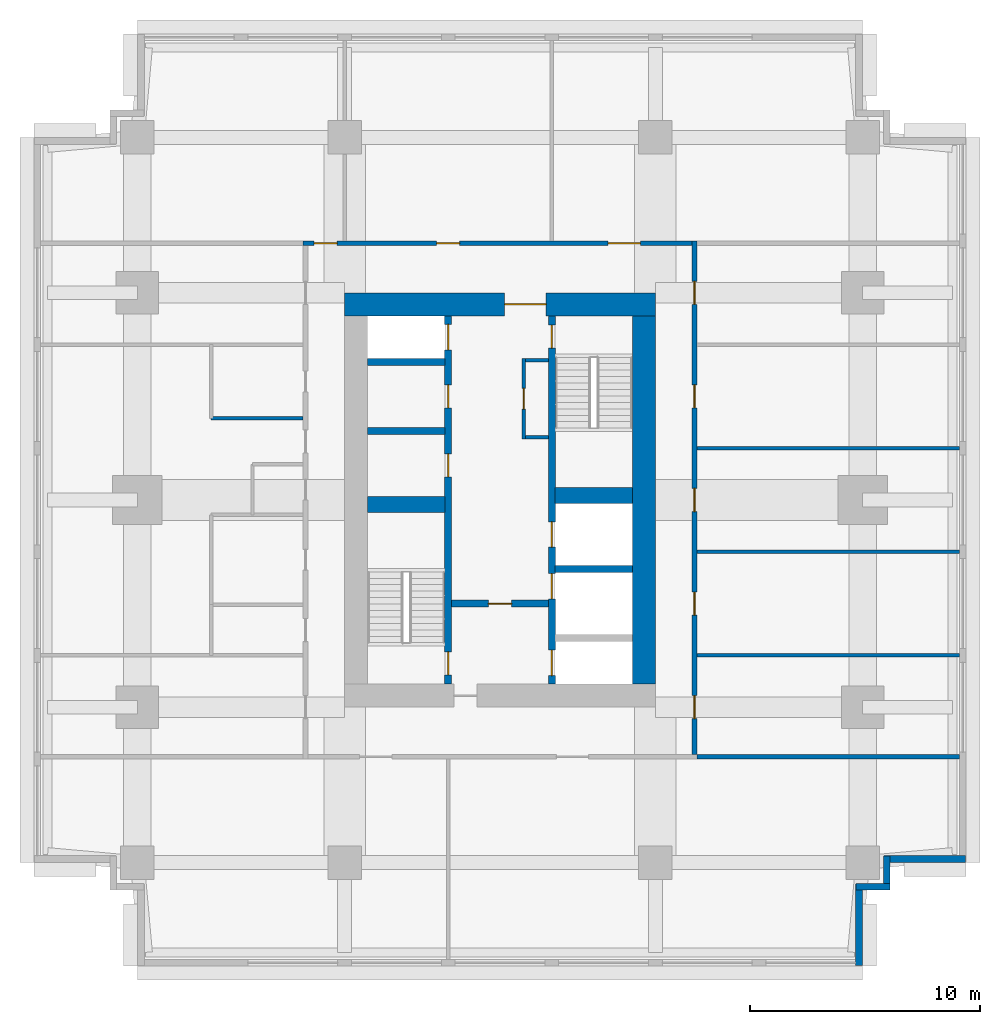
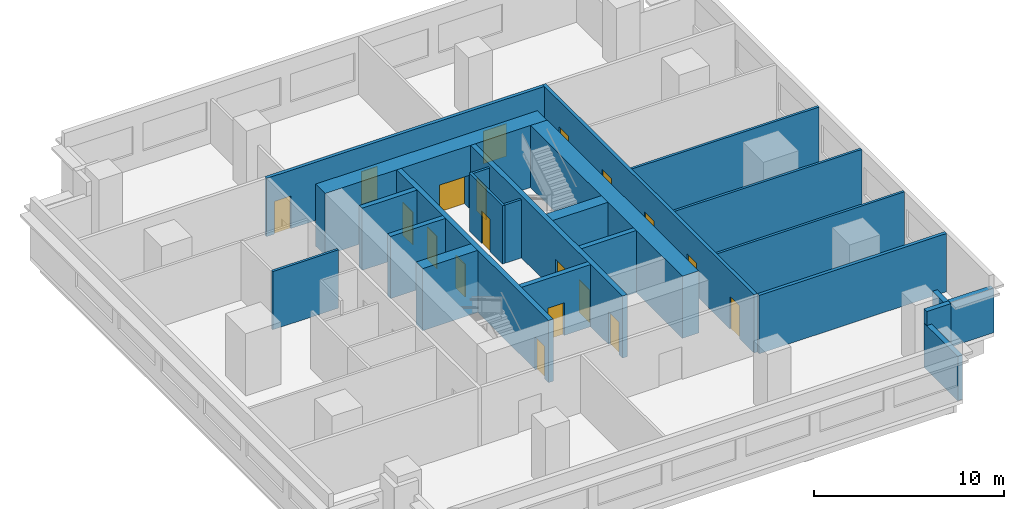
# One storey, part 3 of 5: 24 walls, 19 doors, 19 openings.
"""IFC4 building model written with IfcOpenShell, lengths in metres."""

from ifc_helpers import new_model, si_unit, direction, frame, frame_2d, origin, place, context, subcontext, project, spatial, rectangle, extrude, material, layer, layer_set, type_object, element, fill, save


model = new_model("IFC4")

# Units and contexts
model_context = context("Model", 3, precision=1e-05, world=origin(), true_north=direction((0.0, 1.0)))
body_context = subcontext(model_context, "Body", "Model", "MODEL_VIEW")
ifc_project = project(units=[si_unit("LENGTHUNIT", "METRE"), si_unit("AREAUNIT", "SQUARE_METRE"), si_unit("VOLUMEUNIT", "CUBIC_METRE"), si_unit("PLANEANGLEUNIT", "RADIAN"), si_unit("MASSUNIT", "GRAM", prefix="KILO")], contexts=[model_context])

# Site, building, storey
site_placement = place(None, origin())
site = spatial("IfcSite", under=ifc_project, at=site_placement, CompositionType="ELEMENT")
building_placement = place(site_placement, origin())
building = spatial("IfcBuilding", under=site, at=building_placement, Name="Namib Vertical Campus", CompositionType="ELEMENT")
storey_placement = place(building_placement, frame((0.0, 0.0, 261.0)))
storey = spatial("IfcBuildingStorey", under=building, at=storey_placement, Name="L61", CompositionType="ELEMENT", Elevation=261.0)

# Wall, openings, doors
ifc_material_1 = material(Name="Concrete C60/75", Category="concrete")
ifc_layer_1 = layer(ifc_material_1, 0.300048828125)
ifc_layer_set_1 = layer_set([ifc_layer_1], Name="Concrete C60/75")
wall_type_1 = type_object("IfcWallType", Name="Core inner wall 300", PredefinedType="SHEAR", material=ifc_layer_set_1)
wall_1_placement = place(storey_placement, frame((18.0, 12.25, 0.0), z_axis=(0.0, 0.0, 1.0), x_axis=(0.0, 1.0, 0.0)))
wall_1 = element("IfcWall", 1, at=wall_1_placement, inside=storey, type_object=wall_type_1, Name="Core inner wall A L61 W1", PredefinedType="SHEAR", context=body_context, shape_type="SweptSolid", body=[
    extrude(rectangle(XDim=16.0, YDim=0.300048828125, at=frame_2d((8.0, 0.0))), origin(), (0.0, 0.0, 1.0), 4.0),
])
opening_1_placement = place(wall_1_placement, frame((0.39990234375, 0.0, 0.0)))
opening_1 = element("IfcOpeningElement", 2, at=opening_1_placement, cuts=wall_1, Name="Opening FD1", PredefinedType="OPENING", context=body_context, shape_type="SweptSolid", body=[
    extrude(rectangle(XDim=1.0, YDim=2.10009765625, at=frame_2d((0.5, 1.050048828125))), frame((0.0, 0.159912109375, 0.0), z_axis=(0.0, -1.0, 0.0), x_axis=(1.0, 0.0, 0.0)), (0.0, 0.0, 1.0), 0.320068359375),
])
opening_2_placement = place(wall_1_placement, frame((14.52490234375, 0.0, 0.0)))
opening_2 = element("IfcOpeningElement", 3, at=opening_2_placement, cuts=wall_1, Name="Opening LD1", PredefinedType="OPENING", context=body_context, shape_type="SweptSolid", body=[
    extrude(rectangle(XDim=1.10009765625, YDim=2.10009765625, at=frame_2d((0.550048828125, 1.050048828125))), frame((0.0, 0.159912109375, 0.0), z_axis=(0.0, -1.0, 0.0), x_axis=(1.0, 0.0, 0.0)), (0.0, 0.0, 1.0), 0.320068359375),
])
opening_3_placement = place(wall_1_placement, frame((9.0, 0.0, 0.0)))
opening_3 = element("IfcOpeningElement", 4, at=opening_3_placement, cuts=wall_1, Name="Opening D1", PredefinedType="OPENING", context=body_context, shape_type="SweptSolid", body=[
    extrude(rectangle(XDim=1.0, YDim=2.10009765625, at=frame_2d((0.5, 1.050048828125))), frame((0.0, 0.159912109375, 0.0), z_axis=(0.0, -1.0, 0.0), x_axis=(1.0, 0.0, 0.0)), (0.0, 0.0, 1.0), 0.320068359375),
])
opening_4_placement = place(wall_1_placement, frame((12.0, 0.0, 0.0)))
opening_4 = element("IfcOpeningElement", 5, at=opening_4_placement, cuts=wall_1, Name="Opening D1", PredefinedType="OPENING", context=body_context, shape_type="SweptSolid", body=[
    extrude(rectangle(XDim=1.0, YDim=2.10009765625, at=frame_2d((0.5, 1.050048828125))), frame((0.0, 0.159912109375, 0.0), z_axis=(0.0, -1.0, 0.0), x_axis=(1.0, 0.0, 0.0)), (0.0, 0.0, 1.0), 0.320068359375),
])
ifc_material_2 = material(Name="Timber door leaf", Category="wood")
door_type_1 = type_object("IfcDoorType", Name="Door single 1000x2100", OperationType="SINGLE_SWING_LEFT", PredefinedType="DOOR", material=ifc_material_2)
door_1_placement = place(opening_3_placement, origin())
door_1 = element("IfcDoor", 6, at=door_1_placement, inside=storey, type_object=door_type_1, Name="Door D1 Store A L61 P1", OperationType="SINGLE_SWING_LEFT", OverallHeight=2.10009765625, OverallWidth=1.0, PredefinedType="DOOR", context=body_context, shape_type="SweptSolid", body=[
    extrude(rectangle(XDim=1.0, YDim=2.10009765625, at=frame_2d((0.5, 1.050048828125))), frame((0.0, 0.02490234375, 0.0), z_axis=(0.0, -1.0, 0.0), x_axis=(1.0, 0.0, 0.0)), (0.0, 0.0, 1.0), 0.050048828125),
])
fill(opening_3, door_1)
door_2_placement = place(opening_4_placement, origin())
door_2 = element("IfcDoor", 7, at=door_2_placement, inside=storey, type_object=door_type_1, Name="Door D1 Comms room A L61 P2", OperationType="SINGLE_SWING_LEFT", OverallHeight=2.10009765625, OverallWidth=1.0, PredefinedType="DOOR", context=body_context, shape_type="SweptSolid", body=[
    extrude(rectangle(XDim=1.0, YDim=2.10009765625, at=frame_2d((0.5, 1.050048828125))), frame((0.0, 0.02490234375, 0.0), z_axis=(0.0, -1.0, 0.0), x_axis=(1.0, 0.0, 0.0)), (0.0, 0.0, 1.0), 0.050048828125),
])
fill(opening_4, door_2)
ifc_material_3 = material(Name="Steel fire door", Category="steel")
door_type_2 = type_object("IfcDoorType", Name="Fire door 1000x2100", OperationType="SINGLE_SWING_RIGHT", PredefinedType="DOOR", material=ifc_material_3)
door_3_placement = place(opening_1_placement, origin())
door_3 = element("IfcDoor", 8, at=door_3_placement, inside=storey, type_object=door_type_2, Name="Stair door FD1 A L61 S1", OperationType="SINGLE_SWING_LEFT", OverallHeight=2.10009765625, OverallWidth=1.0, PredefinedType="DOOR", context=body_context, shape_type="SweptSolid", body=[
    extrude(rectangle(XDim=1.0, YDim=2.10009765625, at=frame_2d((0.5, 1.050048828125))), frame((0.0, 0.02490234375, 0.0), z_axis=(0.0, -1.0, 0.0), x_axis=(1.0, 0.0, 0.0)), (0.0, 0.0, 1.0), 0.050048828125),
])
fill(opening_1, door_3)
ifc_material_4 = material(Name="Stainless steel lift door", Category="steel")
door_type_3 = type_object("IfcDoorType", Name="Lift landing door 1100x2100", OperationType="DOUBLE_DOOR_SLIDING", PredefinedType="DOOR", material=ifc_material_4)
door_4_placement = place(opening_2_placement, origin())
door_4 = element("IfcDoor", 9, at=door_4_placement, inside=storey, type_object=door_type_3, Name="Lift landing door LD1 A-P3 L61", OperationType="DOUBLE_DOOR_SLIDING", OverallHeight=2.10009765625, OverallWidth=1.10009765625, PredefinedType="DOOR", context=body_context, shape_type="SweptSolid", body=[
    extrude(rectangle(XDim=1.10009765625, YDim=2.10009765625, at=frame_2d((0.550048828125, 1.050048828125))), frame((0.0, 0.02490234375, 0.0), z_axis=(0.0, -1.0, 0.0), x_axis=(1.0, 0.0, 0.0)), (0.0, 0.0, 1.0), 0.050048828125),
])
fill(opening_2, door_4)

wall_2_placement = place(storey_placement, frame((22.5, 12.25, 0.0), z_axis=(0.0, 0.0, 1.0), x_axis=(0.0, 1.0, 0.0)))
wall_2 = element("IfcWall", 10, at=wall_2_placement, inside=storey, type_object=wall_type_1, Name="Core inner wall A L61 W2", PredefinedType="SHEAR", context=body_context, shape_type="SweptSolid", body=[
    extrude(rectangle(XDim=16.0, YDim=0.300048828125, at=frame_2d((8.0, 0.0))), origin(), (0.0, 0.0, 1.0), 4.0),
])
opening_5_placement = place(wall_2_placement, frame((14.60009765625, 0.0, 0.0)))
opening_5 = element("IfcOpeningElement", 11, at=opening_5_placement, cuts=wall_2, Name="Opening FD1", PredefinedType="OPENING", context=body_context, shape_type="SweptSolid", body=[
    extrude(rectangle(XDim=1.0, YDim=2.10009765625, at=frame_2d((0.5, 1.050048828125))), frame((0.0, 0.159912109375, 0.0), z_axis=(0.0, -1.0, 0.0), x_axis=(1.0, 0.0, 0.0)), (0.0, 0.0, 1.0), 0.320068359375),
])
opening_6_placement = place(wall_2_placement, frame((0.375, 0.0, 0.0)))
opening_6 = element("IfcOpeningElement", 12, at=opening_6_placement, cuts=wall_2, Name="Opening LD1", PredefinedType="OPENING", context=body_context, shape_type="SweptSolid", body=[
    extrude(rectangle(XDim=1.10009765625, YDim=2.10009765625, at=frame_2d((0.550048828125, 1.050048828125))), frame((0.0, 0.159912109375, 0.0), z_axis=(0.0, -1.0, 0.0), x_axis=(1.0, 0.0, 0.0)), (0.0, 0.0, 1.0), 0.320068359375),
])
opening_7_placement = place(wall_2_placement, frame((3.699951171875, 0.0, 0.0)))
opening_7 = element("IfcOpeningElement", 13, at=opening_7_placement, cuts=wall_2, Name="Opening LD1", PredefinedType="OPENING", context=body_context, shape_type="SweptSolid", body=[
    extrude(rectangle(XDim=1.10009765625, YDim=2.10009765625, at=frame_2d((0.550048828125, 1.050048828125))), frame((0.0, 0.159912109375, 0.0), z_axis=(0.0, -1.0, 0.0), x_axis=(1.0, 0.0, 0.0)), (0.0, 0.0, 1.0), 0.320068359375),
])
opening_8_placement = place(wall_2_placement, frame((5.949951171875, 0.0, 0.0)))
opening_8 = element("IfcOpeningElement", 14, at=opening_8_placement, cuts=wall_2, Name="Opening LD1", PredefinedType="OPENING", context=body_context, shape_type="SweptSolid", body=[
    extrude(rectangle(XDim=1.10009765625, YDim=2.10009765625, at=frame_2d((0.550048828125, 1.050048828125))), frame((0.0, 0.159912109375, 0.0), z_axis=(0.0, -1.0, 0.0), x_axis=(1.0, 0.0, 0.0)), (0.0, 0.0, 1.0), 0.320068359375),
])
door_5_placement = place(opening_5_placement, frame((1.0, 0.0, 0.0), z_axis=(0.0, 0.0, 1.0), x_axis=(-1.0, 0.0, 0.0)))
door_5 = element("IfcDoor", 15, at=door_5_placement, inside=storey, type_object=door_type_2, Name="Stair door FD1 A L61 S2", OperationType="SINGLE_SWING_LEFT", OverallHeight=2.10009765625, OverallWidth=1.0, PredefinedType="DOOR", context=body_context, shape_type="SweptSolid", body=[
    extrude(rectangle(XDim=1.0, YDim=2.10009765625, at=frame_2d((0.5, 1.050048828125))), frame((0.0, 0.02490234375, 0.0), z_axis=(0.0, -1.0, 0.0), x_axis=(1.0, 0.0, 0.0)), (0.0, 0.0, 1.0), 0.050048828125),
])
fill(opening_5, door_5)
door_6_placement = place(opening_6_placement, origin())
door_6 = element("IfcDoor", 16, at=door_6_placement, inside=storey, type_object=door_type_3, Name="Lift landing door LD1 A-FL1 L61", OperationType="DOUBLE_DOOR_SLIDING", OverallHeight=2.10009765625, OverallWidth=1.10009765625, PredefinedType="DOOR", context=body_context, shape_type="SweptSolid", body=[
    extrude(rectangle(XDim=1.10009765625, YDim=2.10009765625, at=frame_2d((0.550048828125, 1.050048828125))), frame((0.0, 0.02490234375, 0.0), z_axis=(0.0, -1.0, 0.0), x_axis=(1.0, 0.0, 0.0)), (0.0, 0.0, 1.0), 0.050048828125),
])
fill(opening_6, door_6)
door_7_placement = place(opening_7_placement, origin())
door_7 = element("IfcDoor", 17, at=door_7_placement, inside=storey, type_object=door_type_3, Name="Lift landing door LD1 A-P4 L61", OperationType="DOUBLE_DOOR_SLIDING", OverallHeight=2.10009765625, OverallWidth=1.10009765625, PredefinedType="DOOR", context=body_context, shape_type="SweptSolid", body=[
    extrude(rectangle(XDim=1.10009765625, YDim=2.10009765625, at=frame_2d((0.550048828125, 1.050048828125))), frame((0.0, 0.02490234375, 0.0), z_axis=(0.0, -1.0, 0.0), x_axis=(1.0, 0.0, 0.0)), (0.0, 0.0, 1.0), 0.050048828125),
])
fill(opening_7, door_7)
door_8_placement = place(opening_8_placement, origin())
door_8 = element("IfcDoor", 18, at=door_8_placement, inside=storey, type_object=door_type_3, Name="Lift landing door LD1 A-P5 L61", OperationType="DOUBLE_DOOR_SLIDING", OverallHeight=2.10009765625, OverallWidth=1.10009765625, PredefinedType="DOOR", context=body_context, shape_type="SweptSolid", body=[
    extrude(rectangle(XDim=1.10009765625, YDim=2.10009765625, at=frame_2d((0.550048828125, 1.050048828125))), frame((0.0, 0.02490234375, 0.0), z_axis=(0.0, -1.0, 0.0), x_axis=(1.0, 0.0, 0.0)), (0.0, 0.0, 1.0), 0.050048828125),
])
fill(opening_8, door_8)

# Wall, opening, door
wall_3_placement = place(storey_placement, frame((18.14990234375, 15.75, 0.0), z_axis=(0.0, 0.0, 1.0), x_axis=(1.0, 0.0, 0.0)))
wall_3 = element("IfcWall", 19, at=wall_3_placement, inside=storey, type_object=wall_type_1, Name="Core inner wall A L61 W4", PredefinedType="SHEAR", context=body_context, shape_type="SweptSolid", body=[
    extrude(rectangle(XDim=4.2001953125, YDim=0.300048828125, at=frame_2d((2.10009765625, 0.0))), origin(), (0.0, 0.0, 1.0), 4.0),
])
opening_9_placement = place(wall_3_placement, frame((1.60009765625, 0.0, 0.0)))
opening_9 = element("IfcOpeningElement", 20, at=opening_9_placement, cuts=wall_3, Name="Opening FD5", PredefinedType="OPENING", context=body_context, shape_type="SweptSolid", body=[
    extrude(rectangle(XDim=1.0, YDim=2.10009765625, at=frame_2d((0.5, 1.050048828125))), frame((0.0, 0.159912109375, 0.0), z_axis=(0.0, -1.0, 0.0), x_axis=(1.0, 0.0, 0.0)), (0.0, 0.0, 1.0), 0.320068359375),
])
ifc_material_5 = material(Name="Steel fire door", Category="steel")
door_type_4 = type_object("IfcDoorType", Name="Fire door 1000x2100 120 min", OperationType="SINGLE_SWING_RIGHT", PredefinedType="DOOR", material=ifc_material_5)
door_9_placement = place(opening_9_placement, frame((1.0, 0.0, 0.0), z_axis=(0.0, 0.0, 1.0), x_axis=(-1.0, 0.0, 0.0)))
door_9 = element("IfcDoor", 21, at=door_9_placement, inside=storey, type_object=door_type_4, Name="Lobby door FD5 A L61", OperationType="SINGLE_SWING_RIGHT", OverallHeight=2.10009765625, OverallWidth=1.0, PredefinedType="DOOR", context=body_context, shape_type="SweptSolid", body=[
    extrude(rectangle(XDim=1.0, YDim=2.10009765625, at=frame_2d((0.5, 1.050048828125))), frame((0.0, 0.02490234375, 0.0), z_axis=(0.0, -1.0, 0.0), x_axis=(1.0, 0.0, 0.0)), (0.0, 0.0, 1.0), 0.050048828125),
])
fill(opening_9, door_9)

# Walls
for number, where, z_axis, x_axis, name in (
    (22, (22.64990234375, 17.25, 0.0), (0.0, 0.0, 1.0), (1.0, 0.0, 0.0), "Core inner wall A L61 W6"),
    (23, (14.5, 23.25, 0.0), (0.0, 0.0, 1.0), (1.0, 0.0, 0.0), "Core inner wall A L61 W8"),
    (24, (14.5, 26.25, 0.0), (0.0, 0.0, 1.0), (1.0, 0.0, 0.0), "Core inner wall A L61 W9"),
):
    element("IfcWall", number, at=place(storey_placement, frame(where, z_axis=z_axis, x_axis=x_axis)), inside=storey, type_object=wall_type_1, Name=name, PredefinedType="SHEAR", context=body_context, shape_type="SweptSolid", body=[
        extrude(rectangle(XDim=3.35009765625, YDim=0.300048828125, at=frame_2d((1.675048828125, 0.0))), origin(), (0.0, 0.0, 1.0), 4.0),
    ])
ifc_material_6 = material(Name="Concrete C60/75", Category="concrete")
ifc_layer_2 = layer(ifc_material_6, 0.699951171875)
ifc_layer_set_2 = layer_set([ifc_layer_2], Name="Concrete C60/75")
wall_type_2 = type_object("IfcWallType", Name="Core shear wall 700", PredefinedType="SHEAR", material=ifc_layer_set_2)
for number, where, z_axis, x_axis, name in (
    (25, (14.5, 20.050048828125, 0.0), (0.0, 0.0, 1.0), (1.0, 0.0, 0.0), "Core shear wall A L61 W3"),
    (26, (22.64990234375, 20.449951171875, 0.0), (0.0, 0.0, 1.0), (1.0, 0.0, 0.0), "Core shear wall A L61 W7"),
):
    element("IfcWall", number, at=place(storey_placement, frame(where, z_axis=z_axis, x_axis=x_axis)), inside=storey, type_object=wall_type_2, Name=name, PredefinedType="SHEAR", context=body_context, shape_type="SweptSolid", body=[
        extrude(rectangle(XDim=3.35009765625, YDim=0.699951171875, at=frame_2d((1.675048828125, 0.0))), origin(), (0.0, 0.0, 1.0), 4.0),
    ])
ifc_material_7 = material(Name="Concrete C60/75", Category="concrete")
ifc_layer_3 = layer(ifc_material_7, 1.0)
ifc_layer_set_3 = layer_set([ifc_layer_3], Name="Concrete C60/75")
wall_type_3 = type_object("IfcWallType", Name="Core wall 1000", PredefinedType="SHEAR", material=ifc_layer_set_3)
wall_4_placement = place(storey_placement, frame((26.5, 12.25, 0.0), z_axis=(0.0, 0.0, 1.0), x_axis=(0.0, 1.0, 0.0)))
element("IfcWall", 27, at=wall_4_placement, inside=storey, type_object=wall_type_3, Name="Core wall A L61 2", PredefinedType="SHEAR", context=body_context, shape_type="SweptSolid", body=[
    extrude(rectangle(XDim=16.0, YDim=1.0, at=frame_2d((8.0, 0.0))), origin(), (0.0, 0.0, 1.0), 4.0),
])

# Wall, opening, door
wall_5_placement = place(storey_placement, frame((27.0, 28.75, 0.0), z_axis=(0.0, 0.0, 1.0), x_axis=(-1.0, 0.0, 0.0)))
wall_5 = element("IfcWall", 28, at=wall_5_placement, inside=storey, type_object=wall_type_3, Name="Core wall A L61 3", PredefinedType="SHEAR", context=body_context, shape_type="SweptSolid", body=[
    extrude(rectangle(XDim=13.5, YDim=1.0, at=frame_2d((6.75, 0.0))), origin(), (0.0, 0.0, 1.0), 4.0),
])
opening_10_placement = place(wall_5_placement, frame((4.75, 0.0, 0.0)))
opening_10 = element("IfcOpeningElement", 29, at=opening_10_placement, cuts=wall_5, Name="Opening FD2", PredefinedType="OPENING", context=body_context, shape_type="SweptSolid", body=[
    extrude(rectangle(XDim=1.800048828125, YDim=2.10009765625, at=frame_2d((0.89990234375, 1.050048828125))), frame((0.0, 0.510009765625, 0.0), z_axis=(0.0, -1.0, 0.0), x_axis=(1.0, 0.0, 0.0)), (0.0, 0.0, 1.0), 1.02001953125),
])
ifc_material_8 = material(Name="Steel fire door", Category="steel")
door_type_5 = type_object("IfcDoorType", Name="Fire door double 1800x2100", OperationType="DOUBLE_DOOR_SINGLE_SWING", PredefinedType="DOOR", material=ifc_material_8)
door_10_placement = place(opening_10_placement, origin())
door_10 = element("IfcDoor", 30, at=door_10_placement, inside=storey, type_object=door_type_5, Name="Lift lobby door FD2 A L61", OperationType="DOUBLE_DOOR_SINGLE_SWING", OverallHeight=2.10009765625, OverallWidth=1.800048828125, PredefinedType="DOOR", context=body_context, shape_type="SweptSolid", body=[
    extrude(rectangle(XDim=1.800048828125, YDim=2.10009765625, at=frame_2d((0.89990234375, 1.050048828125))), frame((0.0, 0.02490234375, 0.0), z_axis=(0.0, -1.0, 0.0), x_axis=(1.0, 0.0, 0.0)), (0.0, 0.0, 1.0), 0.050048828125),
])
fill(opening_10, door_10)

# Wall, openings, doors
ifc_material_9 = material(Name="Concrete masonry", Category="masonry")
ifc_layer_4 = layer(ifc_material_9, 0.199951171875)
ifc_layer_set_4 = layer_set([ifc_layer_4], Name="Corridor wall 200")
wall_type_4 = type_object("IfcWallType", Name="Corridor wall 200", PredefinedType="SOLIDWALL", material=ifc_layer_set_4)
wall_6_placement = place(storey_placement, frame((28.699951171875, 9.199951171875, 0.0), z_axis=(0.0, 0.0, 1.0), x_axis=(0.0, 1.0, 0.0)))
wall_6 = element("IfcWall", 31, at=wall_6_placement, inside=storey, type_object=wall_type_4, Name="Corridor wall A L61 CE", PredefinedType="SOLIDWALL", context=body_context, shape_type="SweptSolid", body=[
    extrude(rectangle(XDim=22.300048828125, YDim=0.199951171875, at=frame_2d((11.14990234375, 0.0))), origin(), (0.0, 0.0, 1.0), 3.75),
])
opening_11_placement = place(wall_6_placement, frame((1.550048828125, 0.0, 0.0)))
opening_11 = element("IfcOpeningElement", 32, at=opening_11_placement, cuts=wall_6, Name="Opening CD1", PredefinedType="OPENING", context=body_context, shape_type="SweptSolid", body=[
    extrude(rectangle(XDim=1.0, YDim=2.10009765625, at=frame_2d((0.5, 1.050048828125))), frame((0.0, 0.10986328125, 0.0), z_axis=(0.0, -1.0, 0.0), x_axis=(1.0, 0.0, 0.0)), (0.0, 0.0, 1.0), 0.219970703125),
])
opening_12_placement = place(wall_6_placement, frame((6.050048828125, 0.0, 0.0)))
opening_12 = element("IfcOpeningElement", 33, at=opening_12_placement, cuts=wall_6, Name="Opening CD1", PredefinedType="OPENING", context=body_context, shape_type="SweptSolid", body=[
    extrude(rectangle(XDim=1.0, YDim=2.10009765625, at=frame_2d((0.5, 1.050048828125))), frame((0.0, 0.10986328125, 0.0), z_axis=(0.0, -1.0, 0.0), x_axis=(1.0, 0.0, 0.0)), (0.0, 0.0, 1.0), 0.219970703125),
])
opening_13_placement = place(wall_6_placement, frame((10.550048828125, 0.0, 0.0)))
opening_13 = element("IfcOpeningElement", 34, at=opening_13_placement, cuts=wall_6, Name="Opening CD1", PredefinedType="OPENING", context=body_context, shape_type="SweptSolid", body=[
    extrude(rectangle(XDim=1.0, YDim=2.10009765625, at=frame_2d((0.5, 1.050048828125))), frame((0.0, 0.10986328125, 0.0), z_axis=(0.0, -1.0, 0.0), x_axis=(1.0, 0.0, 0.0)), (0.0, 0.0, 1.0), 0.219970703125),
])
opening_14_placement = place(wall_6_placement, frame((15.050048828125, 0.0, 0.0)))
opening_14 = element("IfcOpeningElement", 35, at=opening_14_placement, cuts=wall_6, Name="Opening CD1", PredefinedType="OPENING", context=body_context, shape_type="SweptSolid", body=[
    extrude(rectangle(XDim=1.0, YDim=2.10009765625, at=frame_2d((0.5, 1.050048828125))), frame((0.0, 0.10986328125, 0.0), z_axis=(0.0, -1.0, 0.0), x_axis=(1.0, 0.0, 0.0)), (0.0, 0.0, 1.0), 0.219970703125),
])
opening_15_placement = place(wall_6_placement, frame((19.550048828125, 0.0, 0.0)))
opening_15 = element("IfcOpeningElement", 36, at=opening_15_placement, cuts=wall_6, Name="Opening CD1", PredefinedType="OPENING", context=body_context, shape_type="SweptSolid", body=[
    extrude(rectangle(XDim=1.0, YDim=2.10009765625, at=frame_2d((0.5, 1.050048828125))), frame((0.0, 0.10986328125, 0.0), z_axis=(0.0, -1.0, 0.0), x_axis=(1.0, 0.0, 0.0)), (0.0, 0.0, 1.0), 0.219970703125),
])
ifc_material_10 = material(Name="Timber fire door leaf", Category="wood")
door_type_6 = type_object("IfcDoorType", Name="Corridor door 1000x2100 20 min", OperationType="SINGLE_SWING_LEFT", PredefinedType="DOOR", material=ifc_material_10)
door_11_placement = place(opening_11_placement, frame((1.0, 0.0, 0.0), z_axis=(0.0, 0.0, 1.0), x_axis=(-1.0, 0.0, 0.0)))
door_11 = element("IfcDoor", 37, at=door_11_placement, inside=storey, type_object=door_type_6, Name="Door CD1 A61-03", OperationType="SINGLE_SWING_RIGHT", OverallHeight=2.10009765625, OverallWidth=1.0, PredefinedType="DOOR", context=body_context, shape_type="SweptSolid", body=[
    extrude(rectangle(XDim=1.0, YDim=2.10009765625, at=frame_2d((0.5, 1.050048828125))), frame((0.0, 0.02490234375, 0.0), z_axis=(0.0, -1.0, 0.0), x_axis=(1.0, 0.0, 0.0)), (0.0, 0.0, 1.0), 0.050048828125),
])
fill(opening_11, door_11)
door_12_placement = place(opening_12_placement, frame((1.0, 0.0, 0.0), z_axis=(0.0, 0.0, 1.0), x_axis=(-1.0, 0.0, 0.0)))
door_12 = element("IfcDoor", 38, at=door_12_placement, inside=storey, type_object=door_type_6, Name="Door CD1 A61-04", OperationType="SINGLE_SWING_RIGHT", OverallHeight=2.10009765625, OverallWidth=1.0, PredefinedType="DOOR", context=body_context, shape_type="SweptSolid", body=[
    extrude(rectangle(XDim=1.0, YDim=2.10009765625, at=frame_2d((0.5, 1.050048828125))), frame((0.0, 0.02490234375, 0.0), z_axis=(0.0, -1.0, 0.0), x_axis=(1.0, 0.0, 0.0)), (0.0, 0.0, 1.0), 0.050048828125),
])
fill(opening_12, door_12)
door_13_placement = place(opening_13_placement, frame((1.0, 0.0, 0.0), z_axis=(0.0, 0.0, 1.0), x_axis=(-1.0, 0.0, 0.0)))
door_13 = element("IfcDoor", 39, at=door_13_placement, inside=storey, type_object=door_type_6, Name="Door CD1 A61-05", OperationType="SINGLE_SWING_RIGHT", OverallHeight=2.10009765625, OverallWidth=1.0, PredefinedType="DOOR", context=body_context, shape_type="SweptSolid", body=[
    extrude(rectangle(XDim=1.0, YDim=2.10009765625, at=frame_2d((0.5, 1.050048828125))), frame((0.0, 0.02490234375, 0.0), z_axis=(0.0, -1.0, 0.0), x_axis=(1.0, 0.0, 0.0)), (0.0, 0.0, 1.0), 0.050048828125),
])
fill(opening_13, door_13)
door_14_placement = place(opening_14_placement, frame((1.0, 0.0, 0.0), z_axis=(0.0, 0.0, 1.0), x_axis=(-1.0, 0.0, 0.0)))
door_14 = element("IfcDoor", 40, at=door_14_placement, inside=storey, type_object=door_type_6, Name="Door CD1 A61-06", OperationType="SINGLE_SWING_RIGHT", OverallHeight=2.10009765625, OverallWidth=1.0, PredefinedType="DOOR", context=body_context, shape_type="SweptSolid", body=[
    extrude(rectangle(XDim=1.0, YDim=2.10009765625, at=frame_2d((0.5, 1.050048828125))), frame((0.0, 0.02490234375, 0.0), z_axis=(0.0, -1.0, 0.0), x_axis=(1.0, 0.0, 0.0)), (0.0, 0.0, 1.0), 0.050048828125),
])
fill(opening_14, door_14)
door_15_placement = place(opening_15_placement, frame((1.0, 0.0, 0.0), z_axis=(0.0, 0.0, 1.0), x_axis=(-1.0, 0.0, 0.0)))
door_15 = element("IfcDoor", 41, at=door_15_placement, inside=storey, type_object=door_type_6, Name="Door CD1 A61-07", OperationType="SINGLE_SWING_RIGHT", OverallHeight=2.10009765625, OverallWidth=1.0, PredefinedType="DOOR", context=body_context, shape_type="SweptSolid", body=[
    extrude(rectangle(XDim=1.0, YDim=2.10009765625, at=frame_2d((0.5, 1.050048828125))), frame((0.0, 0.02490234375, 0.0), z_axis=(0.0, -1.0, 0.0), x_axis=(1.0, 0.0, 0.0)), (0.0, 0.0, 1.0), 0.050048828125),
])
fill(opening_15, door_15)

wall_7_placement = place(storey_placement, frame((28.60009765625, 31.39990234375, 0.0), z_axis=(0.0, 0.0, 1.0), x_axis=(-1.0, 0.0, 0.0)))
wall_7 = element("IfcWall", 42, at=wall_7_placement, inside=storey, type_object=wall_type_4, Name="Corridor wall A L61 CN", PredefinedType="SOLIDWALL", context=body_context, shape_type="SweptSolid", body=[
    extrude(rectangle(XDim=16.900146484375, YDim=0.199951171875, at=frame_2d((8.4501953125, 0.0))), origin(), (0.0, 0.0, 1.0), 3.75),
])
opening_16_placement = place(wall_7_placement, frame((15.425048828125, 0.0, 0.0)))
opening_16 = element("IfcOpeningElement", 43, at=opening_16_placement, cuts=wall_7, Name="Opening CD1", PredefinedType="OPENING", context=body_context, shape_type="SweptSolid", body=[
    extrude(rectangle(XDim=1.0, YDim=2.10009765625, at=frame_2d((0.5, 1.050048828125))), frame((0.0, 0.10986328125, 0.0), z_axis=(0.0, -1.0, 0.0), x_axis=(1.0, 0.0, 0.0)), (0.0, 0.0, 1.0), 0.219970703125),
])
opening_17_placement = place(wall_7_placement, frame((10.10009765625, 0.0, 0.0)))
opening_17 = element("IfcOpeningElement", 44, at=opening_17_placement, cuts=wall_7, Name="Opening CD1", PredefinedType="OPENING", context=body_context, shape_type="SweptSolid", body=[
    extrude(rectangle(XDim=1.0, YDim=2.10009765625, at=frame_2d((0.5, 1.050048828125))), frame((0.0, 0.10986328125, 0.0), z_axis=(0.0, -1.0, 0.0), x_axis=(1.0, 0.0, 0.0)), (0.0, 0.0, 1.0), 0.219970703125),
])
opening_18_placement = place(wall_7_placement, frame((2.25, 0.0, 0.0)))
opening_18 = element("IfcOpeningElement", 45, at=opening_18_placement, cuts=wall_7, Name="Opening LB1", PredefinedType="OPENING", context=body_context, shape_type="SweptSolid", body=[
    extrude(rectangle(XDim=1.39990234375, YDim=2.10009765625, at=frame_2d((0.699951171875, 1.050048828125))), frame((0.0, 0.10986328125, 0.0), z_axis=(0.0, -1.0, 0.0), x_axis=(1.0, 0.0, 0.0)), (0.0, 0.0, 1.0), 0.219970703125),
])
door_16_placement = place(opening_16_placement, frame((1.0, 0.0, 0.0), z_axis=(0.0, 0.0, 1.0), x_axis=(-1.0, 0.0, 0.0)))
door_16 = element("IfcDoor", 46, at=door_16_placement, inside=storey, type_object=door_type_6, Name="Door CD1 A61-08", OperationType="SINGLE_SWING_RIGHT", OverallHeight=2.10009765625, OverallWidth=1.0, PredefinedType="DOOR", context=body_context, shape_type="SweptSolid", body=[
    extrude(rectangle(XDim=1.0, YDim=2.10009765625, at=frame_2d((0.5, 1.050048828125))), frame((0.0, 0.02490234375, 0.0), z_axis=(0.0, -1.0, 0.0), x_axis=(1.0, 0.0, 0.0)), (0.0, 0.0, 1.0), 0.050048828125),
])
fill(opening_16, door_16)
door_17_placement = place(opening_17_placement, frame((1.0, 0.0, 0.0), z_axis=(0.0, 0.0, 1.0), x_axis=(-1.0, 0.0, 0.0)))
door_17 = element("IfcDoor", 47, at=door_17_placement, inside=storey, type_object=door_type_6, Name="Door CD1 A61-09", OperationType="SINGLE_SWING_RIGHT", OverallHeight=2.10009765625, OverallWidth=1.0, PredefinedType="DOOR", context=body_context, shape_type="SweptSolid", body=[
    extrude(rectangle(XDim=1.0, YDim=2.10009765625, at=frame_2d((0.5, 1.050048828125))), frame((0.0, 0.02490234375, 0.0), z_axis=(0.0, -1.0, 0.0), x_axis=(1.0, 0.0, 0.0)), (0.0, 0.0, 1.0), 0.050048828125),
])
fill(opening_17, door_17)
ifc_material_11 = material(Name="Timber fire door leaf", Category="wood")
door_type_7 = type_object("IfcDoorType", Name="Laboratory door 1400x2100 leaf and a half", OperationType="DOUBLE_DOOR_SINGLE_SWING", PredefinedType="DOOR", material=ifc_material_11)
door_18_placement = place(opening_18_placement, frame((1.39990234375, 0.0, 0.0), z_axis=(0.0, 0.0, 1.0), x_axis=(-1.0, 0.0, 0.0)))
door_18 = element("IfcDoor", 48, at=door_18_placement, inside=storey, type_object=door_type_7, Name="Door LB1 A61-10", OperationType="DOUBLE_DOOR_SINGLE_SWING", OverallHeight=2.10009765625, OverallWidth=1.39990234375, PredefinedType="DOOR", context=body_context, shape_type="SweptSolid", body=[
    extrude(rectangle(XDim=1.39990234375, YDim=2.10009765625, at=frame_2d((0.699951171875, 1.050048828125))), frame((0.0, 0.02490234375, 0.0), z_axis=(0.0, -1.0, 0.0), x_axis=(1.0, 0.0, 0.0)), (0.0, 0.0, 1.0), 0.050048828125),
])
fill(opening_18, door_18)

# Walls
wall_8_placement = place(storey_placement, frame((28.800048828125, 9.10009765625, 0.0), z_axis=(0.0, 0.0, 1.0), x_axis=(1.0, 0.0, 0.0)))
element("IfcWall", 49, at=wall_8_placement, inside=storey, type_object=wall_type_4, Name="Partition A L61 BSE", PredefinedType="SOLIDWALL", context=body_context, shape_type="SweptSolid", body=[
    extrude(rectangle(XDim=11.39990234375, YDim=0.199951171875, at=frame_2d((5.699951171875, 0.0))), origin(), (0.0, 0.0, 1.0), 3.75),
])
ifc_material_12 = material(Name="Concrete C40/50", Category="concrete")
ifc_layer_5 = layer(ifc_material_12, 0.300048828125)
ifc_layer_set_5 = layer_set([ifc_layer_5], Name="Concrete C40/50")
wall_type_5 = type_object("IfcWallType", Name="External wall 300 board-marked concrete", PredefinedType="STANDARD", material=ifc_layer_set_5)
wall_9_placement = place(storey_placement, frame((35.85009765625, 0.02001953125, 0.0), z_axis=(0.0, 0.0, 1.0), x_axis=(0.0, 1.0, 0.0)))
element("IfcWall", 50, at=wall_9_placement, inside=storey, type_object=wall_type_5, Name="External wall L61 F02", PredefinedType="STANDARD", context=body_context, shape_type="SweptSolid", body=[
    extrude(rectangle(XDim=3.56005859375, YDim=0.300048828125, at=frame_2d((1.780029296875, 0.0))), origin(), (0.0, 0.0, 1.0), 2.85009765625),
])
for number, where, z_axis, x_axis, name in (
    (51, (35.719970703125, 3.449951171875, 0.0), (0.0, 0.0, 1.0), (1.0, 0.0, 0.0), "External wall L61 F03"),
    (52, (37.050048828125, 3.320068359375, 0.0), (0.0, 0.0, 1.0), (0.0, 1.0, 0.0), "External wall L61 F04"),
):
    element("IfcWall", number, at=place(storey_placement, frame(where, z_axis=z_axis, x_axis=x_axis)), inside=storey, type_object=wall_type_5, Name=name, PredefinedType="STANDARD", context=body_context, shape_type="SweptSolid", body=[
        extrude(rectangle(XDim=1.4599609375, YDim=0.300048828125, at=frame_2d((0.72998046875, 0.0))), origin(), (0.0, 0.0, 1.0), 3.75),
    ])
wall_10_placement = place(storey_placement, frame((36.919921875, 4.64990234375, 0.0), z_axis=(0.0, 0.0, 1.0), x_axis=(1.0, 0.0, 0.0)))
element("IfcWall", 53, at=wall_10_placement, inside=storey, type_object=wall_type_5, Name="External wall L61 F05", PredefinedType="STANDARD", context=body_context, shape_type="SweptSolid", body=[
    extrude(rectangle(XDim=3.56005859375, YDim=0.300048828125, at=frame_2d((1.780029296875, 0.0))), origin(), (0.0, 0.0, 1.0), 2.85009765625),
])

# Wall, opening, door
ifc_material_13 = material(Name="Gypsum board on steel studs", Category="steel")
ifc_layer_6 = layer(ifc_material_13, 0.14990234375)
ifc_layer_set_6 = layer_set([ifc_layer_6], Name="Gypsum board on steel studs")
wall_type_6 = type_object("IfcWallType", Name="Partition 150", PredefinedType="PARTITIONING", material=ifc_layer_set_6)
wall_11_placement = place(storey_placement, frame((21.27490234375, 22.89990234375, 0.0), z_axis=(0.0, 0.0, 1.0), x_axis=(0.0, 1.0, 0.0)))
wall_11 = element("IfcWall", 54, at=wall_11_placement, inside=storey, type_object=wall_type_6, Name="Partition A L61 Staff pantry front", PredefinedType="PARTITIONING", context=body_context, shape_type="SweptSolid", body=[
    extrude(rectangle(XDim=3.5, YDim=0.14990234375, at=frame_2d((1.75, 0.0))), origin(), (0.0, 0.0, 1.0), 3.75),
])
opening_19_placement = place(wall_11_placement, frame((1.300048828125, 0.0, 0.0)))
opening_19 = element("IfcOpeningElement", 55, at=opening_19_placement, cuts=wall_11, Name="Opening D3", PredefinedType="OPENING", context=body_context, shape_type="SweptSolid", body=[
    extrude(rectangle(XDim=0.89990234375, YDim=2.10009765625, at=frame_2d((0.449951171875, 1.050048828125))), frame((0.0, 0.0849609375, 0.0), z_axis=(0.0, -1.0, 0.0), x_axis=(1.0, 0.0, 0.0)), (0.0, 0.0, 1.0), 0.169921875),
])
ifc_material_14 = material(Name="Timber door leaf", Category="wood")
door_type_8 = type_object("IfcDoorType", Name="Toilet door 900x2100", OperationType="SINGLE_SWING_LEFT", PredefinedType="DOOR", material=ifc_material_14)
door_19_placement = place(opening_19_placement, frame((0.89990234375, 0.0, 0.0), z_axis=(0.0, 0.0, 1.0), x_axis=(-1.0, 0.0, 0.0)))
door_19 = element("IfcDoor", 56, at=door_19_placement, inside=storey, type_object=door_type_8, Name="Door D3 Staff pantry A L61", OperationType="SINGLE_SWING_RIGHT", OverallHeight=2.10009765625, OverallWidth=0.89990234375, PredefinedType="DOOR", context=body_context, shape_type="SweptSolid", body=[
    extrude(rectangle(XDim=0.89990234375, YDim=2.10009765625, at=frame_2d((0.449951171875, 1.050048828125))), frame((0.0, 0.02490234375, 0.0), z_axis=(0.0, -1.0, 0.0), x_axis=(1.0, 0.0, 0.0)), (0.0, 0.0, 1.0), 0.050048828125),
])
fill(opening_19, door_19)

# Walls
for number, where, z_axis, x_axis, name in (
    (57, (21.35009765625, 22.97509765625, 0.0), (0.0, 0.0, 1.0), (1.0, 0.0, 0.0), "Partition A L61 Staff pantry end 1"),
    (58, (21.35009765625, 26.324951171875, 0.0), (0.0, 0.0, 1.0), (1.0, 0.0, 0.0), "Partition A L61 Staff pantry end 2"),
):
    element("IfcWall", number, at=place(storey_placement, frame(where, z_axis=z_axis, x_axis=x_axis)), inside=storey, type_object=wall_type_6, Name=name, PredefinedType="PARTITIONING", context=body_context, shape_type="SweptSolid", body=[
        extrude(rectangle(XDim=1.0, YDim=0.14990234375, at=frame_2d((0.5, 0.0))), origin(), (0.0, 0.0, 1.0), 3.75),
    ])
for number, where, z_axis, x_axis, name in (
    (59, (28.800048828125, 13.5, 0.0), (0.0, 0.0, 1.0), (1.0, 0.0, 0.0), "Partition A L61 PE1"),
    (60, (28.800048828125, 18.0, 0.0), (0.0, 0.0, 1.0), (1.0, 0.0, 0.0), "Partition A L61 PE2"),
    (61, (28.800048828125, 22.5, 0.0), (0.0, 0.0, 1.0), (1.0, 0.0, 0.0), "Partition A L61 PE3"),
):
    element("IfcWall", number, at=place(storey_placement, frame(where, z_axis=z_axis, x_axis=x_axis)), inside=storey, type_object=wall_type_6, Name=name, PredefinedType="PARTITIONING", context=body_context, shape_type="SweptSolid", body=[
        extrude(rectangle(XDim=11.39990234375, YDim=0.14990234375, at=frame_2d((5.699951171875, 0.0))), origin(), (0.0, 0.0, 1.0), 3.75),
    ])
wall_12_placement = place(storey_placement, frame((11.699951171875, 23.800048828125, 0.0), z_axis=(0.0, 0.0, 1.0), x_axis=(-1.0, 0.0, 0.0)))
element("IfcWall", 62, at=wall_12_placement, inside=storey, type_object=wall_type_6, Name="Partition A L61 WR4", PredefinedType="PARTITIONING", context=body_context, shape_type="SweptSolid", body=[
    extrude(rectangle(XDim=4.0, YDim=0.14990234375, at=frame_2d((2.0, 0.0))), origin(), (0.0, 0.0, 1.0), 3.75),
])

save(model, "model.ifc")
